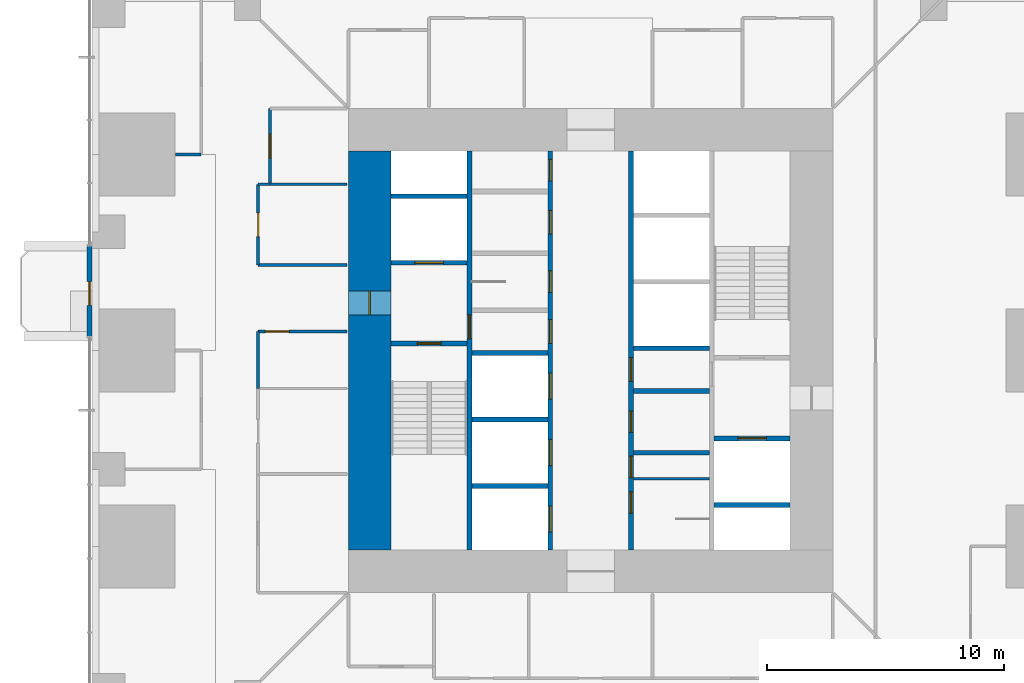
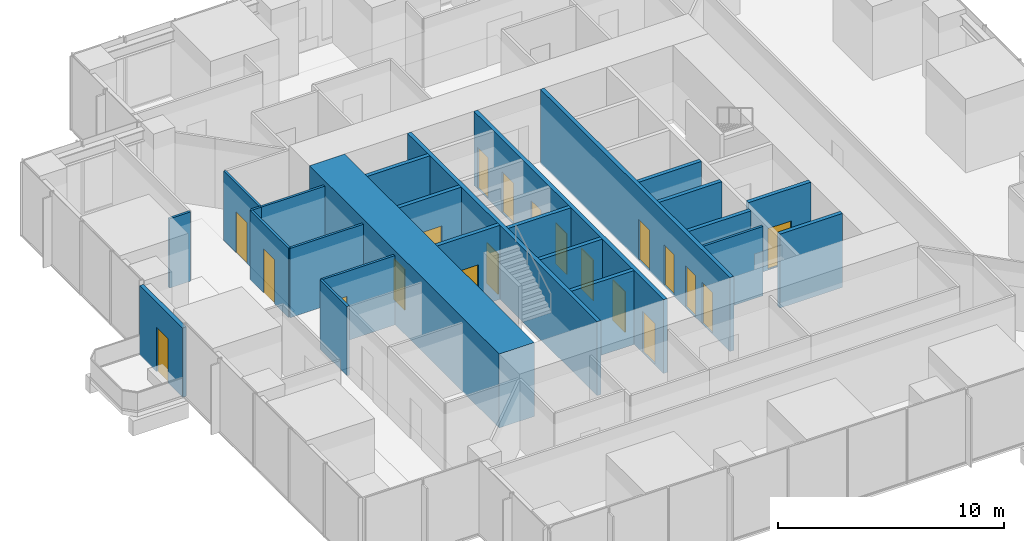
# One storey, part 10 of 15: 25 walls, 20 doors, 20 openings.
"""IFC4 building model written with IfcOpenShell, lengths in metres."""

from ifc_helpers import new_model, si_unit, direction, frame, frame_2d, origin, place, context, subcontext, project, spatial, rectangle, extrude, material, layer, layer_set, type_object, element, fill, save


model = new_model("IFC4")

# Units and contexts
model_context = context("Model", 3, precision=1e-05, world=origin(), true_north=direction((0.0, 1.0)))
body_context = subcontext(model_context, "Body", "Model", "MODEL_VIEW")
ifc_project = project(units=[si_unit("LENGTHUNIT", "METRE"), si_unit("AREAUNIT", "SQUARE_METRE"), si_unit("VOLUMEUNIT", "CUBIC_METRE"), si_unit("PLANEANGLEUNIT", "RADIAN"), si_unit("MASSUNIT", "GRAM", prefix="KILO")], contexts=[model_context])

# Site, building, storey
site_placement = place(None, origin())
site = spatial("IfcSite", under=ifc_project, at=site_placement, CompositionType="ELEMENT")
building_placement = place(site_placement, origin())
building = spatial("IfcBuilding", under=site, at=building_placement, Name="Svetlomir Tower", CompositionType="ELEMENT")
storey_placement = place(building_placement, frame((0.0, 0.0, 34.5)))
storey = spatial("IfcBuildingStorey", under=building, at=storey_placement, Name="L07", CompositionType="ELEMENT", Elevation=34.5)

# Wall, opening, door
ifc_material_1 = material(Name="Bronze anodised aluminium glazed screen", Category="aluminium")
ifc_layer_1 = layer(ifc_material_1, 0.199951171875)
ifc_layer_set_1 = layer_set([ifc_layer_1], Name="Bronze anodised aluminium glazed screen")
wall_type_1 = type_object("IfcWallType", Name="BALCONY SCREEN WALL 200", PredefinedType="USERDEFINED", material=ifc_layer_set_1)
wall_1_placement = place(storey_placement, frame((-0.10009765625, 25.39990234375, 0.0), z_axis=(0.0, 0.0, 1.0), x_axis=(0.0, -1.0, 0.0)))
wall_1 = element("IfcWall", 1, at=wall_1_placement, inside=storey, type_object=wall_type_1, Name="Balcony screen W", ObjectType="GLAZED SCREEN", PredefinedType="USERDEFINED", context=body_context, shape_type="SweptSolid", body=[
    extrude(rectangle(XDim=3.7998046875, YDim=0.199951171875, at=frame_2d((1.89990234375, 0.0))), origin(), (0.0, 0.0, 1.0), 3.75),
])
opening_1_placement = place(wall_1_placement, frame((1.5, 0.0, 0.0)))
opening_1 = element("IfcOpeningElement", 2, at=opening_1_placement, cuts=wall_1, Name="Opening BD", PredefinedType="OPENING", context=body_context, shape_type="SweptSolid", body=[
    extrude(rectangle(XDim=1.0, YDim=2.39990234375, at=frame_2d((0.5, 1.199951171875))), frame((0.0, 0.10986328125, 0.0), z_axis=(0.0, -1.0, 0.0), x_axis=(1.0, 0.0, 0.0)), (0.0, 0.0, 1.0), 0.219970703125),
])
ifc_material_2 = material(Name="Bronze anodised aluminium glazed door", Category="aluminium")
door_type_1 = type_object("IfcDoorType", Name="BALCONY DOOR BD 1000x2400", OperationType="SINGLE_SWING_LEFT", PredefinedType="DOOR", material=ifc_material_2)
door_1_placement = place(opening_1_placement, origin())
door_1 = element("IfcDoor", 3, at=door_1_placement, inside=storey, type_object=door_type_1, Name="Balcony screen W door", OperationType="SINGLE_SWING_LEFT", OverallHeight=2.39990234375, OverallWidth=1.0, PredefinedType="DOOR", context=body_context, shape_type="SweptSolid", body=[
    extrude(rectangle(XDim=1.0, YDim=2.39990234375, at=frame_2d((0.5, 1.199951171875))), frame((0.0, 0.02490234375, 0.0), z_axis=(0.0, -1.0, 0.0), x_axis=(1.0, 0.0, 0.0)), (0.0, 0.0, 1.0), 0.050048828125),
])
fill(opening_1, door_1)

ifc_material_3 = material(Name="Concrete C60/75", Category="concrete")
ifc_layer_2 = layer(ifc_material_3, 0.199951171875)
ifc_layer_set_2 = layer_set([ifc_layer_2], Name="Concrete C60/75")
wall_type_2 = type_object("IfcWallType", Name="CORE INNER WALL 200", PredefinedType="SHEAR", material=ifc_layer_set_2)
wall_2_placement = place(storey_placement, frame((15.89990234375, 12.60009765625, -0.050048828125), z_axis=(0.0, 0.0, 1.0), x_axis=(0.0, 1.0, 0.0)))
wall_2 = element("IfcWall", 4, at=wall_2_placement, inside=storey, type_object=wall_type_2, Name="Core inner wall 15.9 L07", PredefinedType="SHEAR", context=body_context, shape_type="SweptSolid", body=[
    extrude(rectangle(XDim=16.7998046875, YDim=0.199951171875, at=frame_2d((8.39990234375, 0.0))), origin(), (0.0, 0.0, 1.0), 4.0),
])
opening_2_placement = place(wall_2_placement, frame((8.89990234375, 0.0, 0.050048828125)))
opening_2 = element("IfcOpeningElement", 5, at=opening_2_placement, cuts=wall_2, Name="Opening DF", PredefinedType="OPENING", context=body_context, shape_type="SweptSolid", body=[
    extrude(rectangle(XDim=1.0, YDim=2.199951171875, at=frame_2d((0.5, 1.10009765625))), frame((0.0, 0.10986328125, 0.0), z_axis=(0.0, -1.0, 0.0), x_axis=(1.0, 0.0, 0.0)), (0.0, 0.0, 1.0), 0.219970703125),
])
ifc_material_4 = material(Name="Steel fire door", Category="steel")
door_type_2 = type_object("IfcDoorType", Name="DOOR DF 1000x2200", OperationType="SINGLE_SWING_LEFT", PredefinedType="DOOR", material=ifc_material_4)
door_2_placement = place(opening_2_placement, origin())
door_2 = element("IfcDoor", 6, at=door_2_placement, inside=storey, type_object=door_type_2, Name="Core corridor west door L07", OperationType="SINGLE_SWING_LEFT", OverallHeight=2.199951171875, OverallWidth=1.0, PredefinedType="DOOR", context=body_context, shape_type="SweptSolid", body=[
    extrude(rectangle(XDim=1.0, YDim=2.199951171875, at=frame_2d((0.5, 1.10009765625))), frame((0.0, 0.02490234375, 0.0), z_axis=(0.0, -1.0, 0.0), x_axis=(1.0, 0.0, 0.0)), (0.0, 0.0, 1.0), 0.050048828125),
])
fill(opening_2, door_2)

# Wall, openings, doors
wall_3_placement = place(storey_placement, frame((19.300048828125, 12.60009765625, -0.050048828125), z_axis=(0.0, 0.0, 1.0), x_axis=(0.0, 1.0, 0.0)))
wall_3 = element("IfcWall", 7, at=wall_3_placement, inside=storey, type_object=wall_type_2, Name="Core inner wall 19.3 L07", PredefinedType="SHEAR", context=body_context, shape_type="SweptSolid", body=[
    extrude(rectangle(XDim=16.7998046875, YDim=0.199951171875, at=frame_2d((8.39990234375, 0.0))), origin(), (0.0, 0.0, 1.0), 4.0),
])
opening_3_placement = place(wall_3_placement, frame((8.699951171875, 0.0, 0.050048828125)))
opening_3 = element("IfcOpeningElement", 8, at=opening_3_placement, cuts=wall_3, Name="Opening DC", PredefinedType="OPENING", context=body_context, shape_type="SweptSolid", body=[
    extrude(rectangle(XDim=1.0, YDim=2.199951171875, at=frame_2d((0.5, 1.10009765625))), frame((0.0, 0.10986328125, 0.0), z_axis=(0.0, -1.0, 0.0), x_axis=(1.0, 0.0, 0.0)), (0.0, 0.0, 1.0), 0.219970703125),
])
opening_4_placement = place(wall_3_placement, frame((10.85009765625, 0.0, 0.050048828125)))
opening_4 = element("IfcOpeningElement", 9, at=opening_4_placement, cuts=wall_3, Name="Opening DW", PredefinedType="OPENING", context=body_context, shape_type="SweptSolid", body=[
    extrude(rectangle(XDim=0.89990234375, YDim=2.199951171875, at=frame_2d((0.449951171875, 1.10009765625))), frame((0.0, 0.10986328125, 0.0), z_axis=(0.0, -1.0, 0.0), x_axis=(1.0, 0.0, 0.0)), (0.0, 0.0, 1.0), 0.219970703125),
])
opening_5_placement = place(wall_3_placement, frame((13.300048828125, 0.0, 0.050048828125)))
opening_5 = element("IfcOpeningElement", 10, at=opening_5_placement, cuts=wall_3, Name="Opening DC", PredefinedType="OPENING", context=body_context, shape_type="SweptSolid", body=[
    extrude(rectangle(XDim=1.0, YDim=2.199951171875, at=frame_2d((0.5, 1.10009765625))), frame((0.0, 0.10986328125, 0.0), z_axis=(0.0, -1.0, 0.0), x_axis=(1.0, 0.0, 0.0)), (0.0, 0.0, 1.0), 0.219970703125),
])
opening_6_placement = place(wall_3_placement, frame((15.550048828125, 0.0, 0.050048828125)))
opening_6 = element("IfcOpeningElement", 11, at=opening_6_placement, cuts=wall_3, Name="Opening DW", PredefinedType="OPENING", context=body_context, shape_type="SweptSolid", body=[
    extrude(rectangle(XDim=0.89990234375, YDim=2.199951171875, at=frame_2d((0.449951171875, 1.10009765625))), frame((0.0, 0.10986328125, 0.0), z_axis=(0.0, -1.0, 0.0), x_axis=(1.0, 0.0, 0.0)), (0.0, 0.0, 1.0), 0.219970703125),
])
opening_7_placement = place(wall_3_placement, frame((0.75, 0.0, 0.050048828125)))
opening_7 = element("IfcOpeningElement", 12, at=opening_7_placement, cuts=wall_3, Name="Opening LD", PredefinedType="OPENING", context=body_context, shape_type="SweptSolid", body=[
    extrude(rectangle(XDim=1.10009765625, YDim=2.199951171875, at=frame_2d((0.550048828125, 1.10009765625))), frame((0.0, 0.10986328125, 0.0), z_axis=(0.0, -1.0, 0.0), x_axis=(1.0, 0.0, 0.0)), (0.0, 0.0, 1.0), 0.219970703125),
])
opening_8_placement = place(wall_3_placement, frame((3.550048828125, 0.0, 0.050048828125)))
opening_8 = element("IfcOpeningElement", 13, at=opening_8_placement, cuts=wall_3, Name="Opening LD", PredefinedType="OPENING", context=body_context, shape_type="SweptSolid", body=[
    extrude(rectangle(XDim=1.10009765625, YDim=2.199951171875, at=frame_2d((0.550048828125, 1.10009765625))), frame((0.0, 0.10986328125, 0.0), z_axis=(0.0, -1.0, 0.0), x_axis=(1.0, 0.0, 0.0)), (0.0, 0.0, 1.0), 0.219970703125),
])
opening_9_placement = place(wall_3_placement, frame((6.35009765625, 0.0, 0.050048828125)))
opening_9 = element("IfcOpeningElement", 14, at=opening_9_placement, cuts=wall_3, Name="Opening LD", PredefinedType="OPENING", context=body_context, shape_type="SweptSolid", body=[
    extrude(rectangle(XDim=1.10009765625, YDim=2.199951171875, at=frame_2d((0.550048828125, 1.10009765625))), frame((0.0, 0.10986328125, 0.0), z_axis=(0.0, -1.0, 0.0), x_axis=(1.0, 0.0, 0.0)), (0.0, 0.0, 1.0), 0.219970703125),
])
ifc_material_5 = material(Name="Timber fire door", Category="wood")
door_type_3 = type_object("IfcDoorType", Name="DOOR DC 1000x2200", OperationType="SINGLE_SWING_LEFT", PredefinedType="DOOR", material=ifc_material_5)
door_3_placement = place(opening_3_placement, origin())
door_3 = element("IfcDoor", 15, at=door_3_placement, inside=storey, type_object=door_type_3, Name="Core corridor west lobby door L07", OperationType="SINGLE_SWING_RIGHT", OverallHeight=2.199951171875, OverallWidth=1.0, PredefinedType="DOOR", context=body_context, shape_type="SweptSolid", body=[
    extrude(rectangle(XDim=1.0, YDim=2.199951171875, at=frame_2d((0.5, 1.10009765625))), frame((0.0, 0.02490234375, 0.0), z_axis=(0.0, -1.0, 0.0), x_axis=(1.0, 0.0, 0.0)), (0.0, 0.0, 1.0), 0.050048828125),
])
fill(opening_3, door_3)
door_4_placement = place(opening_5_placement, origin())
door_4 = element("IfcDoor", 16, at=door_4_placement, inside=storey, type_object=door_type_3, Name="Accessible WC door L07", OperationType="SINGLE_SWING_LEFT", OverallHeight=2.199951171875, OverallWidth=1.0, PredefinedType="DOOR", context=body_context, shape_type="SweptSolid", body=[
    extrude(rectangle(XDim=1.0, YDim=2.199951171875, at=frame_2d((0.5, 1.10009765625))), frame((0.0, 0.02490234375, 0.0), z_axis=(0.0, -1.0, 0.0), x_axis=(1.0, 0.0, 0.0)), (0.0, 0.0, 1.0), 0.050048828125),
])
fill(opening_5, door_4)
ifc_material_6 = material(Name="Timber fire door", Category="wood")
door_type_4 = type_object("IfcDoorType", Name="DOOR DW 900x2200", OperationType="SINGLE_SWING_LEFT", PredefinedType="DOOR", material=ifc_material_6)
door_5_placement = place(opening_4_placement, origin())
door_5 = element("IfcDoor", 17, at=door_5_placement, inside=storey, type_object=door_type_4, Name="Female WC door L07", OperationType="SINGLE_SWING_RIGHT", OverallHeight=2.199951171875, OverallWidth=0.89990234375, PredefinedType="DOOR", context=body_context, shape_type="SweptSolid", body=[
    extrude(rectangle(XDim=0.89990234375, YDim=2.199951171875, at=frame_2d((0.449951171875, 1.10009765625))), frame((0.0, 0.02490234375, 0.0), z_axis=(0.0, -1.0, 0.0), x_axis=(1.0, 0.0, 0.0)), (0.0, 0.0, 1.0), 0.050048828125),
])
fill(opening_4, door_5)
door_6_placement = place(opening_6_placement, origin())
door_6 = element("IfcDoor", 18, at=door_6_placement, inside=storey, type_object=door_type_4, Name="IT floor distributor room door L07", OperationType="SINGLE_SWING_RIGHT", OverallHeight=2.199951171875, OverallWidth=0.89990234375, PredefinedType="DOOR", context=body_context, shape_type="SweptSolid", body=[
    extrude(rectangle(XDim=0.89990234375, YDim=2.199951171875, at=frame_2d((0.449951171875, 1.10009765625))), frame((0.0, 0.02490234375, 0.0), z_axis=(0.0, -1.0, 0.0), x_axis=(1.0, 0.0, 0.0)), (0.0, 0.0, 1.0), 0.050048828125),
])
fill(opening_6, door_6)
ifc_material_7 = material(Name="Stainless steel landing door", Category="steel")
door_type_5 = type_object("IfcDoorType", Name="LIFT LANDING DOOR LD 1100x2200", OperationType="DOUBLE_DOOR_SLIDING", PredefinedType="DOOR", material=ifc_material_7)
door_7_placement = place(opening_7_placement, origin())
door_7 = element("IfcDoor", 19, at=door_7_placement, inside=storey, type_object=door_type_5, Name="Landing door lift LA1 L07", OperationType="DOUBLE_DOOR_SLIDING", OverallHeight=2.199951171875, OverallWidth=1.10009765625, PredefinedType="DOOR", context=body_context, shape_type="SweptSolid", body=[
    extrude(rectangle(XDim=1.10009765625, YDim=2.199951171875, at=frame_2d((0.550048828125, 1.10009765625))), frame((0.0, 0.02490234375, 0.0), z_axis=(0.0, -1.0, 0.0), x_axis=(1.0, 0.0, 0.0)), (0.0, 0.0, 1.0), 0.050048828125),
])
fill(opening_7, door_7)
door_8_placement = place(opening_8_placement, origin())
door_8 = element("IfcDoor", 20, at=door_8_placement, inside=storey, type_object=door_type_5, Name="Landing door lift LA2 L07", OperationType="DOUBLE_DOOR_SLIDING", OverallHeight=2.199951171875, OverallWidth=1.10009765625, PredefinedType="DOOR", context=body_context, shape_type="SweptSolid", body=[
    extrude(rectangle(XDim=1.10009765625, YDim=2.199951171875, at=frame_2d((0.550048828125, 1.10009765625))), frame((0.0, 0.02490234375, 0.0), z_axis=(0.0, -1.0, 0.0), x_axis=(1.0, 0.0, 0.0)), (0.0, 0.0, 1.0), 0.050048828125),
])
fill(opening_8, door_8)
door_9_placement = place(opening_9_placement, origin())
door_9 = element("IfcDoor", 21, at=door_9_placement, inside=storey, type_object=door_type_5, Name="Landing door lift LA3 L07", OperationType="DOUBLE_DOOR_SLIDING", OverallHeight=2.199951171875, OverallWidth=1.10009765625, PredefinedType="DOOR", context=body_context, shape_type="SweptSolid", body=[
    extrude(rectangle(XDim=1.10009765625, YDim=2.199951171875, at=frame_2d((0.550048828125, 1.10009765625))), frame((0.0, 0.02490234375, 0.0), z_axis=(0.0, -1.0, 0.0), x_axis=(1.0, 0.0, 0.0)), (0.0, 0.0, 1.0), 0.050048828125),
])
fill(opening_9, door_9)

wall_4_placement = place(storey_placement, frame((22.699951171875, 12.60009765625, -0.050048828125), z_axis=(0.0, 0.0, 1.0), x_axis=(0.0, 1.0, 0.0)))
wall_4 = element("IfcWall", 22, at=wall_4_placement, inside=storey, type_object=wall_type_2, Name="Core inner wall 22.7 L07", PredefinedType="SHEAR", context=body_context, shape_type="SweptSolid", body=[
    extrude(rectangle(XDim=16.7998046875, YDim=0.199951171875, at=frame_2d((8.39990234375, 0.0))), origin(), (0.0, 0.0, 1.0), 4.0),
])
opening_10_placement = place(wall_4_placement, frame((3.050048828125, 0.0, 0.050048828125)))
opening_10 = element("IfcOpeningElement", 23, at=opening_10_placement, cuts=wall_4, Name="Opening DW", PredefinedType="OPENING", context=body_context, shape_type="SweptSolid", body=[
    extrude(rectangle(XDim=0.89990234375, YDim=2.199951171875, at=frame_2d((0.449951171875, 1.10009765625))), frame((0.0, 0.10986328125, 0.0), z_axis=(0.0, -1.0, 0.0), x_axis=(1.0, 0.0, 0.0)), (0.0, 0.0, 1.0), 0.219970703125),
])
opening_11_placement = place(wall_4_placement, frame((7.10009765625, 0.0, 0.050048828125)))
opening_11 = element("IfcOpeningElement", 24, at=opening_11_placement, cuts=wall_4, Name="Opening DC", PredefinedType="OPENING", context=body_context, shape_type="SweptSolid", body=[
    extrude(rectangle(XDim=1.0, YDim=2.199951171875, at=frame_2d((0.5, 1.10009765625))), frame((0.0, 0.10986328125, 0.0), z_axis=(0.0, -1.0, 0.0), x_axis=(1.0, 0.0, 0.0)), (0.0, 0.0, 1.0), 0.219970703125),
])
opening_12_placement = place(wall_4_placement, frame((1.550048828125, 0.0, 0.050048828125)))
opening_12 = element("IfcOpeningElement", 25, at=opening_12_placement, cuts=wall_4, Name="Opening DW", PredefinedType="OPENING", context=body_context, shape_type="SweptSolid", body=[
    extrude(rectangle(XDim=0.89990234375, YDim=2.199951171875, at=frame_2d((0.449951171875, 1.10009765625))), frame((0.0, 0.10986328125, 0.0), z_axis=(0.0, -1.0, 0.0), x_axis=(1.0, 0.0, 0.0)), (0.0, 0.0, 1.0), 0.219970703125),
])
opening_13_placement = place(wall_4_placement, frame((4.949951171875, 0.0, 0.050048828125)))
opening_13 = element("IfcOpeningElement", 26, at=opening_13_placement, cuts=wall_4, Name="Opening DW", PredefinedType="OPENING", context=body_context, shape_type="SweptSolid", body=[
    extrude(rectangle(XDim=0.89990234375, YDim=2.199951171875, at=frame_2d((0.449951171875, 1.10009765625))), frame((0.0, 0.10986328125, 0.0), z_axis=(0.0, -1.0, 0.0), x_axis=(1.0, 0.0, 0.0)), (0.0, 0.0, 1.0), 0.219970703125),
])
door_10_placement = place(opening_11_placement, origin())
door_10 = element("IfcDoor", 27, at=door_10_placement, inside=storey, type_object=door_type_3, Name="Core corridor east lobby door L07", OperationType="SINGLE_SWING_LEFT", OverallHeight=2.199951171875, OverallWidth=1.0, PredefinedType="DOOR", context=body_context, shape_type="SweptSolid", body=[
    extrude(rectangle(XDim=1.0, YDim=2.199951171875, at=frame_2d((0.5, 1.10009765625))), frame((0.0, 0.02490234375, 0.0), z_axis=(0.0, -1.0, 0.0), x_axis=(1.0, 0.0, 0.0)), (0.0, 0.0, 1.0), 0.050048828125),
])
fill(opening_11, door_10)
door_11_placement = place(opening_10_placement, origin())
door_11 = element("IfcDoor", 28, at=door_11_placement, inside=storey, type_object=door_type_4, Name="Shower and changing room door L07", OperationType="SINGLE_SWING_LEFT", OverallHeight=2.199951171875, OverallWidth=0.89990234375, PredefinedType="DOOR", context=body_context, shape_type="SweptSolid", body=[
    extrude(rectangle(XDim=0.89990234375, YDim=2.199951171875, at=frame_2d((0.449951171875, 1.10009765625))), frame((0.0, 0.02490234375, 0.0), z_axis=(0.0, -1.0, 0.0), x_axis=(1.0, 0.0, 0.0)), (0.0, 0.0, 1.0), 0.050048828125),
])
fill(opening_10, door_11)
door_12_placement = place(opening_12_placement, origin())
door_12 = element("IfcDoor", 29, at=door_12_placement, inside=storey, type_object=door_type_4, Name="Male WC door L07", OperationType="SINGLE_SWING_RIGHT", OverallHeight=2.199951171875, OverallWidth=0.89990234375, PredefinedType="DOOR", context=body_context, shape_type="SweptSolid", body=[
    extrude(rectangle(XDim=0.89990234375, YDim=2.199951171875, at=frame_2d((0.449951171875, 1.10009765625))), frame((0.0, 0.02490234375, 0.0), z_axis=(0.0, -1.0, 0.0), x_axis=(1.0, 0.0, 0.0)), (0.0, 0.0, 1.0), 0.050048828125),
])
fill(opening_12, door_12)
door_13_placement = place(opening_13_placement, origin())
door_13 = element("IfcDoor", 30, at=door_13_placement, inside=storey, type_object=door_type_4, Name="Comms room door L07", OperationType="SINGLE_SWING_RIGHT", OverallHeight=2.199951171875, OverallWidth=0.89990234375, PredefinedType="DOOR", context=body_context, shape_type="SweptSolid", body=[
    extrude(rectangle(XDim=0.89990234375, YDim=2.199951171875, at=frame_2d((0.449951171875, 1.10009765625))), frame((0.0, 0.02490234375, 0.0), z_axis=(0.0, -1.0, 0.0), x_axis=(1.0, 0.0, 0.0)), (0.0, 0.0, 1.0), 0.050048828125),
])
fill(opening_13, door_13)

# Wall, opening, door
wall_5_placement = place(storey_placement, frame((12.60009765625, 21.300048828125, -0.050048828125), z_axis=(0.0, 0.0, 1.0), x_axis=(1.0, 0.0, 0.0)))
wall_5 = element("IfcWall", 31, at=wall_5_placement, inside=storey, type_object=wall_type_2, Name="Core inner wall 12.6-15.8/21.3 L07", PredefinedType="SHEAR", context=body_context, shape_type="SweptSolid", body=[
    extrude(rectangle(XDim=3.199951171875, YDim=0.199951171875, at=frame_2d((1.60009765625, 0.0))), origin(), (0.0, 0.0, 1.0), 4.0),
])
opening_14_placement = place(wall_5_placement, frame((1.10009765625, 0.0, 0.050048828125)))
opening_14 = element("IfcOpeningElement", 32, at=opening_14_placement, cuts=wall_5, Name="Opening DF", PredefinedType="OPENING", context=body_context, shape_type="SweptSolid", body=[
    extrude(rectangle(XDim=1.0, YDim=2.199951171875, at=frame_2d((0.5, 1.10009765625))), frame((0.0, 0.10986328125, 0.0), z_axis=(0.0, -1.0, 0.0), x_axis=(1.0, 0.0, 0.0)), (0.0, 0.0, 1.0), 0.219970703125),
])
door_14_placement = place(opening_14_placement, origin())
door_14 = element("IfcDoor", 33, at=door_14_placement, inside=storey, type_object=door_type_2, Name="Stair S1 door L07", OperationType="SINGLE_SWING_RIGHT", OverallHeight=2.199951171875, OverallWidth=1.0, PredefinedType="DOOR", context=body_context, shape_type="SweptSolid", body=[
    extrude(rectangle(XDim=1.0, YDim=2.199951171875, at=frame_2d((0.5, 1.10009765625))), frame((0.0, 0.02490234375, 0.0), z_axis=(0.0, -1.0, 0.0), x_axis=(1.0, 0.0, 0.0)), (0.0, 0.0, 1.0), 0.050048828125),
])
fill(opening_14, door_14)

wall_6_placement = place(storey_placement, frame((12.60009765625, 24.699951171875, -0.050048828125), z_axis=(0.0, 0.0, 1.0), x_axis=(1.0, 0.0, 0.0)))
wall_6 = element("IfcWall", 34, at=wall_6_placement, inside=storey, type_object=wall_type_2, Name="Core inner wall 12.6-15.8/24.7 L07", PredefinedType="SHEAR", context=body_context, shape_type="SweptSolid", body=[
    extrude(rectangle(XDim=3.199951171875, YDim=0.199951171875, at=frame_2d((1.60009765625, 0.0))), origin(), (0.0, 0.0, 1.0), 4.0),
])
opening_15_placement = place(wall_6_placement, frame((1.0, 0.0, 0.050048828125)))
opening_15 = element("IfcOpeningElement", 35, at=opening_15_placement, cuts=wall_6, Name="Opening LD3", PredefinedType="OPENING", context=body_context, shape_type="SweptSolid", body=[
    extrude(rectangle(XDim=1.199951171875, YDim=2.199951171875, at=frame_2d((0.60009765625, 1.10009765625))), frame((0.0, 0.10986328125, 0.0), z_axis=(0.0, -1.0, 0.0), x_axis=(1.0, 0.0, 0.0)), (0.0, 0.0, 1.0), 0.219970703125),
])
ifc_material_8 = material(Name="Stainless steel fire-rated landing door", Category="steel")
door_type_6 = type_object("IfcDoorType", Name="FIREFIGHTING LIFT LANDING DOOR LD3 1200x2200", OperationType="DOUBLE_DOOR_SLIDING", PredefinedType="DOOR", material=ifc_material_8)
door_15_placement = place(opening_15_placement, origin())
door_15 = element("IfcDoor", 36, at=door_15_placement, inside=storey, type_object=door_type_6, Name="Landing door lift FL1 L07", OperationType="DOUBLE_DOOR_SLIDING", OverallHeight=2.199951171875, OverallWidth=1.199951171875, PredefinedType="DOOR", context=body_context, shape_type="SweptSolid", body=[
    extrude(rectangle(XDim=1.199951171875, YDim=2.199951171875, at=frame_2d((0.60009765625, 1.10009765625))), frame((0.0, 0.02490234375, 0.0), z_axis=(0.0, -1.0, 0.0), x_axis=(1.0, 0.0, 0.0)), (0.0, 0.0, 1.0), 0.050048828125),
])
fill(opening_15, door_15)

# Walls
for number, where, z_axis, x_axis, name in (
    (37, (12.60009765625, 27.5, -0.050048828125), (0.0, 0.0, 1.0), (1.0, 0.0, 0.0), "Core inner wall 12.6-15.8/27.5 L07"),
    (38, (16.0, 15.300048828125, -0.050048828125), (0.0, 0.0, 1.0), (1.0, 0.0, 0.0), "Core inner wall 16-19.2/15.3 L07"),
    (39, (16.0, 18.10009765625, -0.050048828125), (0.0, 0.0, 1.0), (1.0, 0.0, 0.0), "Core inner wall 16-19.2/18.1 L07"),
    (40, (16.0, 20.89990234375, -0.050048828125), (0.0, 0.0, 1.0), (1.0, 0.0, 0.0), "Core inner wall 16-19.2/20.9 L07"),
    (41, (22.800048828125, 16.699951171875, -0.050048828125), (0.0, 0.0, 1.0), (1.0, 0.0, 0.0), "Core inner wall 22.8-26/16.7 L07"),
    (42, (22.800048828125, 19.300048828125, -0.050048828125), (0.0, 0.0, 1.0), (1.0, 0.0, 0.0), "Core inner wall 22.8-26/19.3 L07"),
    (43, (22.800048828125, 21.10009765625, -0.050048828125), (0.0, 0.0, 1.0), (1.0, 0.0, 0.0), "Core inner wall 22.8-26/21.1 L07"),
    (44, (26.199951171875, 14.5, -0.050048828125), (0.0, 0.0, 1.0), (1.0, 0.0, 0.0), "Core inner wall 26.2-29.4/14.5 L07"),
):
    element("IfcWall", number, at=place(storey_placement, frame(where, z_axis=z_axis, x_axis=x_axis)), inside=storey, type_object=wall_type_2, Name=name, PredefinedType="SHEAR", context=body_context, shape_type="SweptSolid", body=[
        extrude(rectangle(XDim=3.199951171875, YDim=0.199951171875, at=frame_2d((1.60009765625, 0.0))), origin(), (0.0, 0.0, 1.0), 4.0),
    ])

# Wall, opening, door
wall_7_placement = place(storey_placement, frame((26.199951171875, 17.300048828125, -0.050048828125), z_axis=(0.0, 0.0, 1.0), x_axis=(1.0, 0.0, 0.0)))
wall_7 = element("IfcWall", 45, at=wall_7_placement, inside=storey, type_object=wall_type_2, Name="Core inner wall 26.2-29.4/17.3 L07", PredefinedType="SHEAR", context=body_context, shape_type="SweptSolid", body=[
    extrude(rectangle(XDim=3.199951171875, YDim=0.199951171875, at=frame_2d((1.60009765625, 0.0))), origin(), (0.0, 0.0, 1.0), 4.0),
])
opening_16_placement = place(wall_7_placement, frame((1.0, 0.0, 0.050048828125)))
opening_16 = element("IfcOpeningElement", 46, at=opening_16_placement, cuts=wall_7, Name="Opening LD3", PredefinedType="OPENING", context=body_context, shape_type="SweptSolid", body=[
    extrude(rectangle(XDim=1.199951171875, YDim=2.199951171875, at=frame_2d((0.60009765625, 1.10009765625))), frame((0.0, 0.10986328125, 0.0), z_axis=(0.0, -1.0, 0.0), x_axis=(1.0, 0.0, 0.0)), (0.0, 0.0, 1.0), 0.219970703125),
])
door_16_placement = place(opening_16_placement, origin())
door_16 = element("IfcDoor", 47, at=door_16_placement, inside=storey, type_object=door_type_6, Name="Landing door lift FL2 L07", OperationType="DOUBLE_DOOR_SLIDING", OverallHeight=2.199951171875, OverallWidth=1.199951171875, PredefinedType="DOOR", context=body_context, shape_type="SweptSolid", body=[
    extrude(rectangle(XDim=1.199951171875, YDim=2.199951171875, at=frame_2d((0.60009765625, 1.10009765625))), frame((0.0, 0.02490234375, 0.0), z_axis=(0.0, -1.0, 0.0), x_axis=(1.0, 0.0, 0.0)), (0.0, 0.0, 1.0), 0.050048828125),
])
fill(opening_16, door_16)

ifc_material_9 = material(Name="Concrete C60/75", Category="concrete")
ifc_layer_3 = layer(ifc_material_9, 1.800048828125)
ifc_layer_set_3 = layer_set([ifc_layer_3], Name="Concrete C60/75")
wall_type_3 = type_object("IfcWallType", Name="CORE WALL 1800", PredefinedType="SHEAR", material=ifc_layer_set_3)
wall_8_placement = place(storey_placement, frame((11.699951171875, 12.60009765625, -0.050048828125), z_axis=(0.0, 0.0, 1.0), x_axis=(0.0, 1.0, 0.0)))
wall_8 = element("IfcWall", 48, at=wall_8_placement, inside=storey, type_object=wall_type_3, Name="Core wall west L07", PredefinedType="SHEAR", context=body_context, shape_type="SweptSolid", body=[
    extrude(rectangle(XDim=16.7998046875, YDim=1.800048828125, at=frame_2d((8.39990234375, 0.0))), origin(), (0.0, 0.0, 1.0), 4.0),
])
opening_17_placement = place(wall_8_placement, frame((9.89990234375, 0.0, 0.050048828125)))
opening_17 = element("IfcOpeningElement", 49, at=opening_17_placement, cuts=wall_8, Name="Opening DF", PredefinedType="OPENING", context=body_context, shape_type="SweptSolid", body=[
    extrude(rectangle(XDim=1.0, YDim=2.199951171875, at=frame_2d((0.5, 1.10009765625))), frame((0.0, 0.91015625, 0.0), z_axis=(0.0, -1.0, 0.0), x_axis=(1.0, 0.0, 0.0)), (0.0, 0.0, 1.0), 1.820068359375),
])
door_17_placement = place(opening_17_placement, origin())
door_17 = element("IfcDoor", 50, at=door_17_placement, inside=storey, type_object=door_type_2, Name="Firefighting lobby west door L07", OperationType="SINGLE_SWING_RIGHT", OverallHeight=2.199951171875, OverallWidth=1.0, PredefinedType="DOOR", context=body_context, shape_type="SweptSolid", body=[
    extrude(rectangle(XDim=1.0, YDim=2.199951171875, at=frame_2d((0.5, 1.10009765625))), frame((0.0, 0.02490234375, 0.0), z_axis=(0.0, -1.0, 0.0), x_axis=(1.0, 0.0, 0.0)), (0.0, 0.0, 1.0), 0.050048828125),
])
fill(opening_17, door_17)

# Walls
ifc_material_10 = material(Name="Gypsum board on steel studs", Category="steel")
ifc_layer_4 = layer(ifc_material_10, 0.1201171875)
ifc_layer_set_4 = layer_set([ifc_layer_4], Name="Gypsum board on steel studs")
wall_type_4 = type_object("IfcWallType", Name="PARTITION 120", PredefinedType="PARTITIONING", material=ifc_layer_set_4)
wall_9_placement = place(storey_placement, frame((22.800048828125, 15.60009765625, 0.0), z_axis=(0.0, 0.0, 1.0), x_axis=(1.0, 0.0, 0.0)))
element("IfcWall", 51, at=wall_9_placement, inside=storey, type_object=wall_type_4, Name="Shower room partition L07", PredefinedType="PARTITIONING", context=body_context, shape_type="SweptSolid", body=[
    extrude(rectangle(XDim=3.199951171875, YDim=0.1201171875, at=frame_2d((1.60009765625, 0.0))), origin(), (0.0, 0.0, 1.0), 3.75),
])
wall_10_placement = place(storey_placement, frame((3.510009765625, 29.25, 0.0), z_axis=(0.0, 0.0, 1.0), x_axis=(1.0, 0.0, 0.0)))
element("IfcWall", 52, at=wall_10_placement, inside=storey, type_object=wall_type_4, Name="Partition L07", PredefinedType="PARTITIONING", context=body_context, shape_type="SweptSolid", body=[
    extrude(rectangle(XDim=1.090087890625, YDim=0.1201171875, at=frame_2d((0.544921875, 0.0))), origin(), (0.0, 0.0, 1.0), 3.75),
])
wall_11_placement = place(storey_placement, frame((7.0, 19.39990234375, 0.0), z_axis=(0.0, 0.0, 1.0), x_axis=(0.0, 1.0, 0.0)))
element("IfcWall", 53, at=wall_11_placement, inside=storey, type_object=wall_type_4, Name="Partition L07", PredefinedType="PARTITIONING", context=body_context, shape_type="SweptSolid", body=[
    extrude(rectangle(XDim=2.400146484375, YDim=0.1201171875, at=frame_2d((1.2001953125, 0.0))), origin(), (0.0, 0.0, 1.0), 3.75),
])

# Wall, opening, door
wall_12_placement = place(storey_placement, frame((7.0, 21.800048828125, 0.0), z_axis=(0.0, 0.0, 1.0), x_axis=(1.0, 0.0, 0.0)))
wall_12 = element("IfcWall", 54, at=wall_12_placement, inside=storey, type_object=wall_type_4, Name="Partition L07", PredefinedType="PARTITIONING", context=body_context, shape_type="SweptSolid", body=[
    extrude(rectangle(XDim=3.75, YDim=0.1201171875, at=frame_2d((1.875, 0.0))), origin(), (0.0, 0.0, 1.0), 3.75),
])
opening_18_placement = place(wall_12_placement, frame((0.300048828125, 0.0, 0.0)))
opening_18 = element("IfcOpeningElement", 55, at=opening_18_placement, cuts=wall_12, Name="Opening DG", PredefinedType="OPENING", context=body_context, shape_type="SweptSolid", body=[
    extrude(rectangle(XDim=1.0, YDim=2.39990234375, at=frame_2d((0.5, 1.199951171875))), frame((0.0, 0.070068359375, 0.0), z_axis=(0.0, -1.0, 0.0), x_axis=(1.0, 0.0, 0.0)), (0.0, 0.0, 1.0), 0.14013671875),
])
ifc_material_11 = material(Name="Framed laminated glass door", Category="glass")
door_type_7 = type_object("IfcDoorType", Name="GLAZED DOOR DG 1000x2400", OperationType="SINGLE_SWING_LEFT", PredefinedType="DOOR", material=ifc_material_11)
door_18_placement = place(opening_18_placement, origin())
door_18 = element("IfcDoor", 56, at=door_18_placement, inside=storey, type_object=door_type_7, Name="Ring corridor 3 door 3 L07", OperationType="SINGLE_SWING_LEFT", OverallHeight=2.39990234375, OverallWidth=1.0, PredefinedType="DOOR", context=body_context, shape_type="SweptSolid", body=[
    extrude(rectangle(XDim=1.0, YDim=2.39990234375, at=frame_2d((0.5, 1.199951171875))), frame((0.0, 0.02490234375, 0.0), z_axis=(0.0, -1.0, 0.0), x_axis=(1.0, 0.0, 0.0)), (0.0, 0.0, 1.0), 0.050048828125),
])
fill(opening_18, door_18)

wall_13_placement = place(storey_placement, frame((7.0, 24.60009765625, 0.0), z_axis=(0.0, 0.0, 1.0), x_axis=(0.0, 1.0, 0.0)))
wall_13 = element("IfcWall", 57, at=wall_13_placement, inside=storey, type_object=wall_type_4, Name="Partition L07", PredefinedType="PARTITIONING", context=body_context, shape_type="SweptSolid", body=[
    extrude(rectangle(XDim=3.39990234375, YDim=0.1201171875, at=frame_2d((1.699951171875, 0.0))), origin(), (0.0, 0.0, 1.0), 3.75),
])
opening_19_placement = place(wall_13_placement, frame((1.199951171875, 0.0, 0.0)))
opening_19 = element("IfcOpeningElement", 58, at=opening_19_placement, cuts=wall_13, Name="Opening DG", PredefinedType="OPENING", context=body_context, shape_type="SweptSolid", body=[
    extrude(rectangle(XDim=1.0, YDim=2.39990234375, at=frame_2d((0.5, 1.199951171875))), frame((0.0, 0.070068359375, 0.0), z_axis=(0.0, -1.0, 0.0), x_axis=(1.0, 0.0, 0.0)), (0.0, 0.0, 1.0), 0.14013671875),
])
door_19_placement = place(opening_19_placement, origin())
door_19 = element("IfcDoor", 59, at=door_19_placement, inside=storey, type_object=door_type_7, Name="Phone rooms door L07", OperationType="SINGLE_SWING_LEFT", OverallHeight=2.39990234375, OverallWidth=1.0, PredefinedType="DOOR", context=body_context, shape_type="SweptSolid", body=[
    extrude(rectangle(XDim=1.0, YDim=2.39990234375, at=frame_2d((0.5, 1.199951171875))), frame((0.0, 0.02490234375, 0.0), z_axis=(0.0, -1.0, 0.0), x_axis=(1.0, 0.0, 0.0)), (0.0, 0.0, 1.0), 0.050048828125),
])
fill(opening_19, door_19)

# Walls
wall_14_placement = place(storey_placement, frame((7.0, 24.60009765625, 0.0), z_axis=(0.0, 0.0, 1.0), x_axis=(1.0, 0.0, 0.0)))
element("IfcWall", 60, at=wall_14_placement, inside=storey, type_object=wall_type_4, Name="Partition L07", PredefinedType="PARTITIONING", context=body_context, shape_type="SweptSolid", body=[
    extrude(rectangle(XDim=3.75, YDim=0.1201171875, at=frame_2d((1.875, 0.0))), origin(), (0.0, 0.0, 1.0), 3.75),
])
wall_15_placement = place(storey_placement, frame((7.0, 28.0, 0.0), z_axis=(0.0, 0.0, 1.0), x_axis=(1.0, 0.0, 0.0)))
element("IfcWall", 61, at=wall_15_placement, inside=storey, type_object=wall_type_4, Name="Partition L07", PredefinedType="PARTITIONING", context=body_context, shape_type="SweptSolid", body=[
    extrude(rectangle(XDim=0.5, YDim=0.1201171875, at=frame_2d((0.25, 0.0))), origin(), (0.0, 0.0, 1.0), 3.75),
])

# Wall, opening, door
wall_16_placement = place(storey_placement, frame((7.5, 28.0, 0.0), z_axis=(0.0, 0.0, 1.0), x_axis=(0.0, 1.0, 0.0)))
wall_16 = element("IfcWall", 62, at=wall_16_placement, inside=storey, type_object=wall_type_4, Name="Partition L07", PredefinedType="PARTITIONING", context=body_context, shape_type="SweptSolid", body=[
    extrude(rectangle(XDim=3.199951171875, YDim=0.1201171875, at=frame_2d((1.60009765625, 0.0))), origin(), (0.0, 0.0, 1.0), 3.75),
])
opening_20_placement = place(wall_16_placement, frame((1.10009765625, 0.0, 0.0)))
opening_20 = element("IfcOpeningElement", 63, at=opening_20_placement, cuts=wall_16, Name="Opening DR", PredefinedType="OPENING", context=body_context, shape_type="SweptSolid", body=[
    extrude(rectangle(XDim=1.0, YDim=2.199951171875, at=frame_2d((0.5, 1.10009765625))), frame((0.0, 0.070068359375, 0.0), z_axis=(0.0, -1.0, 0.0), x_axis=(1.0, 0.0, 0.0)), (0.0, 0.0, 1.0), 0.14013671875),
])
ifc_material_12 = material(Name="Timber door, glazed side light", Category="wood")
door_type_8 = type_object("IfcDoorType", Name="DOOR DR 1000x2200", OperationType="SINGLE_SWING_LEFT", PredefinedType="DOOR", material=ifc_material_12)
door_20_placement = place(opening_20_placement, origin())
door_20 = element("IfcDoor", 64, at=door_20_placement, inside=storey, type_object=door_type_8, Name="Store door L07", OperationType="SINGLE_SWING_RIGHT", OverallHeight=2.199951171875, OverallWidth=1.0, PredefinedType="DOOR", context=body_context, shape_type="SweptSolid", body=[
    extrude(rectangle(XDim=1.0, YDim=2.199951171875, at=frame_2d((0.5, 1.10009765625))), frame((0.0, 0.02490234375, 0.0), z_axis=(0.0, -1.0, 0.0), x_axis=(1.0, 0.0, 0.0)), (0.0, 0.0, 1.0), 0.050048828125),
])
fill(opening_20, door_20)

# Wall
wall_17_placement = place(storey_placement, frame((7.5, 28.0, 0.0), z_axis=(0.0, 0.0, 1.0), x_axis=(1.0, 0.0, 0.0)))
element("IfcWall", 65, at=wall_17_placement, inside=storey, type_object=wall_type_4, Name="Partition L07", PredefinedType="PARTITIONING", context=body_context, shape_type="SweptSolid", body=[
    extrude(rectangle(XDim=3.25, YDim=0.1201171875, at=frame_2d((1.625, 0.0))), origin(), (0.0, 0.0, 1.0), 3.75),
])

save(model, "model.ifc")
